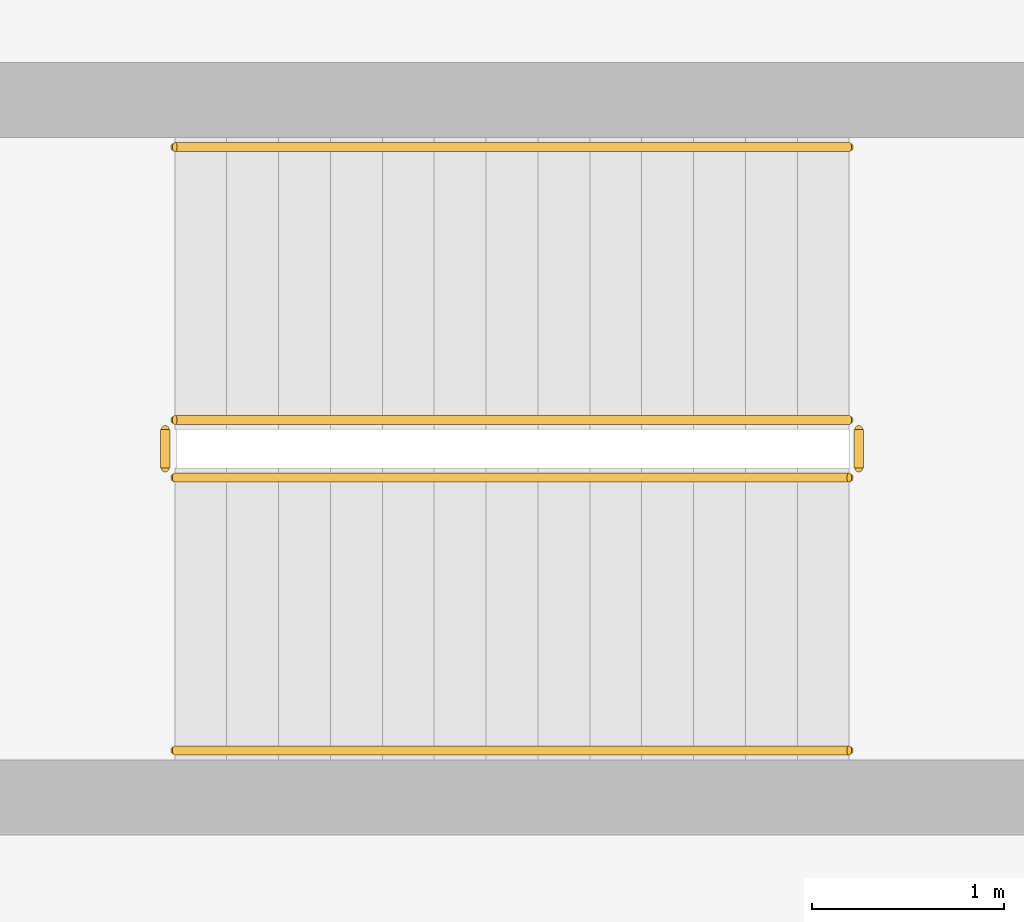
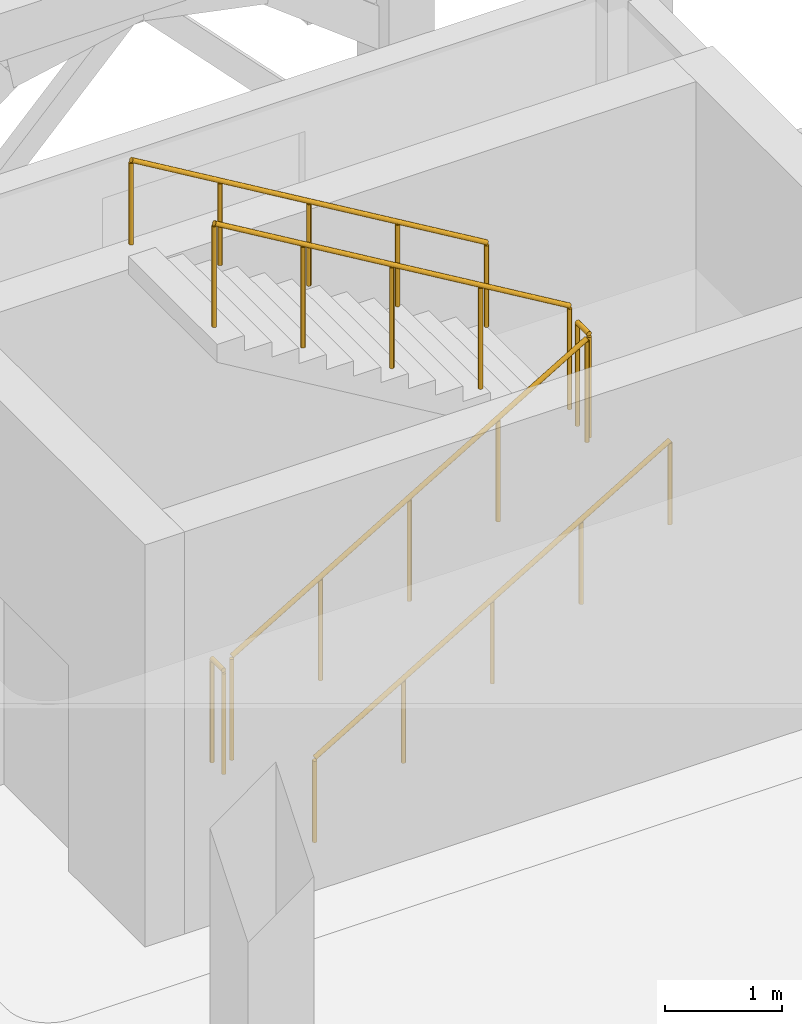
# One storey, part 21 of 22: 6 railings.
"""IFC4 building model written with IfcOpenShell, lengths in metres."""

from ifc_helpers import new_model, si_unit, direction, frame, origin, origin_2d, place, context, subcontext, project, spatial, circle, extrude, material, type_object, element, save


model = new_model("IFC4")

# Units and contexts
model_context = context("Model", 3, precision=1e-05, world=origin(), true_north=direction((0.0, 1.0)))
body_context = subcontext(model_context, "Body", "Model", "MODEL_VIEW")
ifc_project = project(units=[si_unit("LENGTHUNIT", "METRE"), si_unit("AREAUNIT", "SQUARE_METRE"), si_unit("VOLUMEUNIT", "CUBIC_METRE"), si_unit("PLANEANGLEUNIT", "RADIAN"), si_unit("MASSUNIT", "GRAM", prefix="KILO")], contexts=[model_context])

# Site, building, storey
site_placement = place(None, origin())
site = spatial("IfcSite", under=ifc_project, at=site_placement, CompositionType="ELEMENT")
building_placement = place(site_placement, origin())
building = spatial("IfcBuilding", under=site, at=building_placement, Name="Xazarin Passage Department Store", CompositionType="ELEMENT")
storey_placement = place(building_placement, frame((0.0, 0.0, 27.89990234375)))
storey = spatial("IfcBuildingStorey", under=building, at=storey_placement, Name="L06", CompositionType="ELEMENT", Elevation=27.89990234375)

# Railings
ifc_material = material(Name="Steel S355", Category="steel")
railing_type_1 = type_object("IfcRailingType", Name="ARC-RL-GRD112", PredefinedType="GUARDRAIL", material=ifc_material)
railing_1_placement = place(storey_placement, frame((27.239990234375, 105.64990234375, 0.160888671875)))
element("IfcRailing", 1, at=railing_1_placement, inside=storey, type_object=railing_type_1, Name="L06 ST2 stair guard 1", PredefinedType="GUARDRAIL", context=body_context, shape_type="SweptSolid", body=[
    extrude(circle(Radius=0.02392578125, at=origin_2d()), frame((0.0, 0.0, 1.076171875), z_axis=(0.859312273368, 0.0, 0.511451284914), x_axis=(0.0, 1.0, 0.0)), (0.0, 0.0, 1.0), 4.084716796875),
    extrude(circle(Radius=0.02099609375, at=origin_2d()), origin(), (0.0, 0.0, 1.0), 1.0517578125),
    extrude(circle(Radius=0.02099609375, at=origin_2d()), frame((0.87744140625, 0.0, 0.522216796875)), (0.0, 0.0, 1.0), 1.0517578125),
    extrude(circle(Radius=0.02099609375, at=origin_2d()), frame((1.7548828125, 0.0, 1.04443359375)), (0.0, 0.0, 1.0), 1.0517578125),
    extrude(circle(Radius=0.02099609375, at=origin_2d()), frame((2.632568359375, 0.0, 1.56689453125)), (0.0, 0.0, 1.0), 1.0517578125),
    extrude(circle(Radius=0.02099609375, at=origin_2d()), frame((3.510009765625, 0.0, 2.089111328125)), (0.0, 0.0, 1.0), 1.0517578125),
])
railing_2_placement = place(storey_placement, frame((30.800048828125, 105.699951171875, 2.25)))
element("IfcRailing", 2, at=railing_2_placement, inside=storey, type_object=railing_type_1, Name="L06 ST2 stair guard 2", PredefinedType="GUARDRAIL", context=body_context, shape_type="SweptSolid", body=[
    extrude(circle(Radius=0.02392578125, at=origin_2d()), frame((0.0, 0.0, 1.076171875), z_axis=(0.0, 1.0, 0.0), x_axis=(-1.0, 0.0, 0.0)), (0.0, 0.0, 1.0), 0.199951171875),
    extrude(circle(Radius=0.02099609375, at=origin_2d()), origin(), (0.0, 0.0, 1.0), 1.0517578125),
    extrude(circle(Radius=0.02099609375, at=origin_2d()), frame((0.0, 0.199951171875, 0.0)), (0.0, 0.0, 1.0), 1.0517578125),
])
railing_3_placement = place(storey_placement, frame((30.75, 105.949951171875, 2.410888671875)))
element("IfcRailing", 3, at=railing_3_placement, inside=storey, type_object=railing_type_1, Name="L06 ST2 stair guard 3", PredefinedType="GUARDRAIL", context=body_context, shape_type="SweptSolid", body=[
    extrude(circle(Radius=0.02392578125, at=origin_2d()), frame((0.0, 0.0, 1.076171875), z_axis=(-0.859312273368, 0.0, 0.511451284914), x_axis=(0.0, -1.0, 0.0)), (0.0, 0.0, 1.0), 4.084716796875),
    extrude(circle(Radius=0.02099609375, at=origin_2d()), origin(), (0.0, 0.0, 1.0), 1.0517578125),
    extrude(circle(Radius=0.02099609375, at=origin_2d()), frame((-0.87744140625, 0.0, 0.522216796875)), (0.0, 0.0, 1.0), 1.0517578125),
    extrude(circle(Radius=0.02099609375, at=origin_2d()), frame((-1.7548828125, 0.0, 1.04443359375)), (0.0, 0.0, 1.0), 1.0517578125),
    extrude(circle(Radius=0.02099609375, at=origin_2d()), frame((-2.632568359375, 0.0, 1.56689453125)), (0.0, 0.0, 1.0), 1.0517578125),
    extrude(circle(Radius=0.02099609375, at=origin_2d()), frame((-3.510009765625, 0.0, 2.089111328125)), (0.0, 0.0, 1.0), 1.0517578125),
])
railing_4_placement = place(storey_placement, frame((27.18994140625, 105.699951171875, 0.0)))
element("IfcRailing", 4, at=railing_4_placement, inside=storey, type_object=railing_type_1, Name="L06 ST2 stair guard 4", PredefinedType="GUARDRAIL", context=body_context, shape_type="SweptSolid", body=[
    extrude(circle(Radius=0.02392578125, at=origin_2d()), frame((0.0, 0.0, 1.076171875), z_axis=(0.0, 1.0, 0.0), x_axis=(-1.0, 0.0, 0.0)), (0.0, 0.0, 1.0), 0.199951171875),
    extrude(circle(Radius=0.02099609375, at=origin_2d()), origin(), (0.0, 0.0, 1.0), 1.0517578125),
    extrude(circle(Radius=0.02099609375, at=origin_2d()), frame((0.0, 0.199951171875, 0.0)), (0.0, 0.0, 1.0), 1.0517578125),
])
railing_type_2 = type_object("IfcRailingType", Name="ARC-RL-HND090", PredefinedType="HANDRAIL", material=ifc_material)
railing_5_placement = place(storey_placement, frame((27.239990234375, 104.22998046875, 0.160888671875)))
element("IfcRailing", 5, at=railing_5_placement, inside=storey, type_object=railing_type_2, Name="L06 ST2 stair handrail 1", PredefinedType="HANDRAIL", context=body_context, shape_type="SweptSolid", body=[
    extrude(circle(Radius=0.02392578125, at=origin_2d()), frame((0.0, 0.0, 0.8759765625), z_axis=(0.859312273368, 0.0, 0.511451284914), x_axis=(0.0, 1.0, 0.0)), (0.0, 0.0, 1.0), 4.084716796875),
    extrude(circle(Radius=0.02099609375, at=origin_2d()), origin(), (0.0, 0.0, 1.0), 0.8515625),
    extrude(circle(Radius=0.02099609375, at=origin_2d()), frame((0.87744140625, 0.0, 0.522216796875)), (0.0, 0.0, 1.0), 0.8515625),
    extrude(circle(Radius=0.02099609375, at=origin_2d()), frame((1.7548828125, 0.0, 1.04443359375)), (0.0, 0.0, 1.0), 0.8515625),
    extrude(circle(Radius=0.02099609375, at=origin_2d()), frame((2.632568359375, 0.0, 1.56689453125)), (0.0, 0.0, 1.0), 0.8515625),
    extrude(circle(Radius=0.02099609375, at=origin_2d()), frame((3.510009765625, 0.0, 2.089111328125)), (0.0, 0.0, 1.0), 0.8515625),
])
railing_6_placement = place(storey_placement, frame((30.75, 107.3701171875, 2.410888671875)))
element("IfcRailing", 6, at=railing_6_placement, inside=storey, type_object=railing_type_2, Name="L06 ST2 stair handrail 2", PredefinedType="HANDRAIL", context=body_context, shape_type="SweptSolid", body=[
    extrude(circle(Radius=0.02392578125, at=origin_2d()), frame((0.0, 0.0, 0.8759765625), z_axis=(-0.859312273368, 0.0, 0.511451284914), x_axis=(0.0, -1.0, 0.0)), (0.0, 0.0, 1.0), 4.084716796875),
    extrude(circle(Radius=0.02099609375, at=origin_2d()), origin(), (0.0, 0.0, 1.0), 0.8515625),
    extrude(circle(Radius=0.02099609375, at=origin_2d()), frame((-0.87744140625, 0.0, 0.522216796875)), (0.0, 0.0, 1.0), 0.8515625),
    extrude(circle(Radius=0.02099609375, at=origin_2d()), frame((-1.7548828125, 0.0, 1.04443359375)), (0.0, 0.0, 1.0), 0.8515625),
    extrude(circle(Radius=0.02099609375, at=origin_2d()), frame((-2.632568359375, 0.0, 1.56689453125)), (0.0, 0.0, 1.0), 0.8515625),
    extrude(circle(Radius=0.02099609375, at=origin_2d()), frame((-3.510009765625, 0.0, 2.089111328125)), (0.0, 0.0, 1.0), 0.8515625),
])

save(model, "model.ifc")
